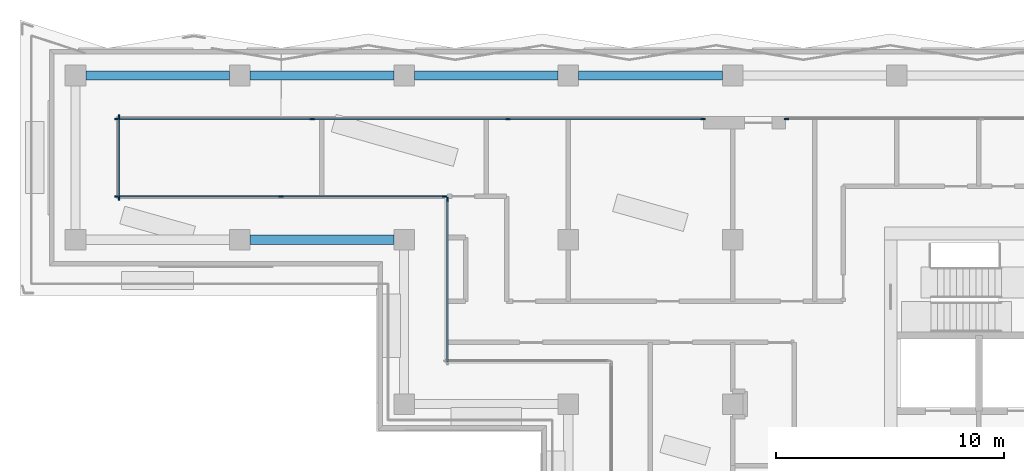
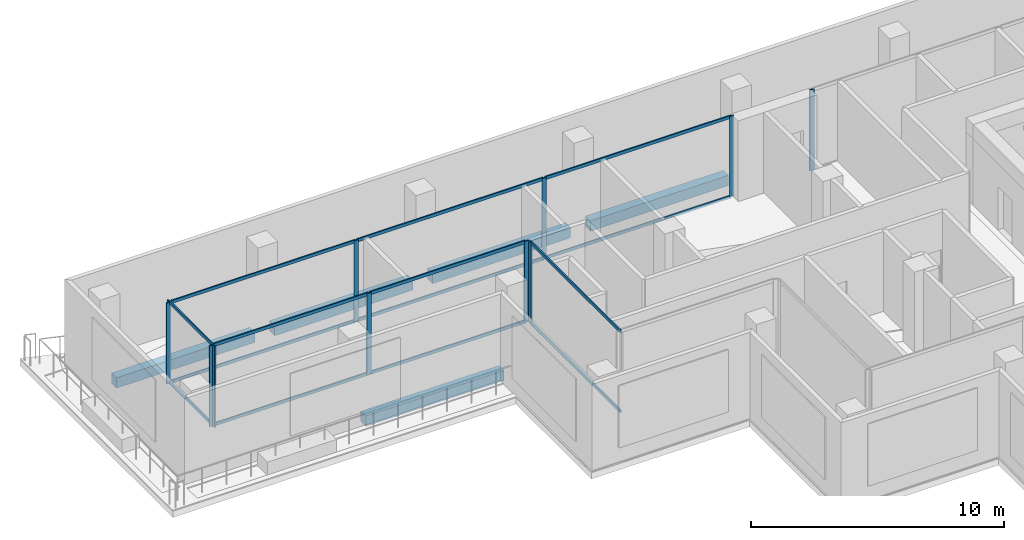
# One storey, part 5 of 19: 25 members, 5 beams, 5 elements without a shape of their own.
"""IFC4 building model written with IfcOpenShell, lengths in metres."""

from ifc_helpers import new_model, si_unit, direction, frame, origin, origin_2d, place, context, subcontext, project, spatial, rectangle, extrude, material, material_profile, profile_set, type_object, element, aggregate, save


model = new_model("IFC4")

# Units and contexts
model_context = context("Model", 3, precision=1e-05, world=origin(), true_north=direction((0.0, 1.0)))
body_context = subcontext(model_context, "Body", "Model", "MODEL_VIEW")
ifc_project = project(units=[si_unit("LENGTHUNIT", "METRE"), si_unit("AREAUNIT", "SQUARE_METRE"), si_unit("VOLUMEUNIT", "CUBIC_METRE"), si_unit("PLANEANGLEUNIT", "RADIAN"), si_unit("MASSUNIT", "GRAM", prefix="KILO")], contexts=[model_context])

# Site, building, storey
site_placement = place(None, origin())
site = spatial("IfcSite", under=ifc_project, at=site_placement, CompositionType="ELEMENT")
building_placement = place(site_placement, origin())
building = spatial("IfcBuilding", under=site, at=building_placement, Name="Windrow Commons", CompositionType="ELEMENT")
storey_placement = place(building_placement, frame((0.0, 0.0, 176.2)))
storey = spatial("IfcBuildingStorey", under=building, at=storey_placement, Name="L48", CompositionType="ELEMENT", Elevation=176.2)

# Curtain wall, member
ifc_material_1 = material(Name="Clear laminated glass in Aluminium 6063-T6 anodised frame", Category="aluminium")
curtain_wall_type = type_object("IfcCurtainWallType", Name="Curtain wall CW2H sky lounge upper", PredefinedType="USERDEFINED", material=ifc_material_1)
placement = place(storey_placement, origin())
curtain_wall_1 = element("IfcCurtainWall", 1, at=placement, inside=storey, type_object=curtain_wall_type, Name="Curtain wall CW2H L48 4.1", ObjectType="UNITISED", PredefinedType="USERDEFINED")
ifc_material_2 = material(Name="Aluminium 6063-T6", Category="aluminium")
ifc_material_profile_1 = material_profile(ifc_material_2, rectangle(XDim=0.06, YDim=0.2, at=origin_2d()))
ifc_profile_set_1 = profile_set([ifc_material_profile_1], Name="Aluminium 6063-T6")
member_type_1 = type_object("IfcMemberType", Name="CW2H mullion 60x200", PredefinedType="MULLION", material=ifc_profile_set_1)
member_1_placement = place(storey_placement, frame((52.7574, 70.1, 0.0), z_axis=(0.0, 0.0, 1.0), x_axis=(0.0, -1.0, 0.0)))
member_1 = element("IfcMember", 2, at=member_1_placement, type_object=member_type_1, Name="CW2H mullion 4", PredefinedType="MULLION", context=body_context, shape_type="SweptSolid", body=[
    extrude(rectangle(XDim=0.06, YDim=0.2, at=origin_2d()), origin(), (0.0, 0.0, 1.0), 3.9),
])
aggregate(curtain_wall_1, [member_1])

# Curtain wall, members
curtain_wall_2 = element("IfcCurtainWall", 3, at=placement, inside=storey, type_object=curtain_wall_type, Name="Curtain wall CW2H L48 4.2", ObjectType="UNITISED", PredefinedType="USERDEFINED")
member_2_placement = place(storey_placement, frame((49.0974, 70.1, 0.0), z_axis=(0.0, 0.0, 1.0), x_axis=(0.0, -1.0, 0.0)))
member_2 = element("IfcMember", 4, at=member_2_placement, type_object=member_type_1, Name="CW2H mullion 1", PredefinedType="MULLION", context=body_context, shape_type="SweptSolid", body=[
    extrude(rectangle(XDim=0.06, YDim=0.2, at=origin_2d()), origin(), (0.0, 0.0, 1.0), 3.9),
])
member_3_placement = place(storey_placement, frame((40.5516, 70.1, 0.0), z_axis=(0.0, 0.0, 1.0), x_axis=(0.0, -1.0, 0.0)))
member_3 = element("IfcMember", 5, at=member_3_placement, type_object=member_type_1, Name="CW2H mullion 2", PredefinedType="MULLION", context=body_context, shape_type="SweptSolid", body=[
    extrude(rectangle(XDim=0.06, YDim=0.2, at=origin_2d()), origin(), (0.0, 0.0, 1.0), 3.9),
])
member_4_placement = place(storey_placement, frame((31.9758, 70.1, 0.0), z_axis=(0.0, 0.0, 1.0), x_axis=(0.0, -1.0, 0.0)))
member_4 = element("IfcMember", 6, at=member_4_placement, type_object=member_type_1, Name="CW2H mullion 3", PredefinedType="MULLION", context=body_context, shape_type="SweptSolid", body=[
    extrude(rectangle(XDim=0.06, YDim=0.2, at=origin_2d()), origin(), (0.0, 0.0, 1.0), 3.9),
])
member_5_placement = place(storey_placement, frame((23.43, 70.1, 0.0), z_axis=(0.0, 0.0, 1.0), x_axis=(0.0, -1.0, 0.0)))
member_5 = element("IfcMember", 7, at=member_5_placement, type_object=member_type_1, Name="CW2H mullion 4", PredefinedType="MULLION", context=body_context, shape_type="SweptSolid", body=[
    extrude(rectangle(XDim=0.06, YDim=0.2, at=origin_2d()), origin(), (0.0, 0.0, 1.0), 3.9),
])

curtain_wall_3 = element("IfcCurtainWall", 8, at=placement, inside=storey, type_object=curtain_wall_type, Name="Curtain wall CW2H L48 5", ObjectType="UNITISED", PredefinedType="USERDEFINED")
member_6_placement = place(storey_placement, frame((23.5, 70.17, 0.0), z_axis=(0.0, 0.0, 1.0), x_axis=(1.0, 0.0, 0.0)))
member_6 = element("IfcMember", 9, at=member_6_placement, type_object=member_type_1, Name="CW2H mullion 1", PredefinedType="MULLION", context=body_context, shape_type="SweptSolid", body=[
    extrude(rectangle(XDim=0.06, YDim=0.2, at=origin_2d()), origin(), (0.0, 0.0, 1.0), 3.9),
])
member_7_placement = place(storey_placement, frame((23.5, 66.63, 0.0), z_axis=(0.0, 0.0, 1.0), x_axis=(1.0, 0.0, 0.0)))
member_7 = element("IfcMember", 10, at=member_7_placement, type_object=member_type_1, Name="CW2H mullion 2", PredefinedType="MULLION", context=body_context, shape_type="SweptSolid", body=[
    extrude(rectangle(XDim=0.06, YDim=0.2, at=origin_2d()), origin(), (0.0, 0.0, 1.0), 3.9),
])

curtain_wall_4 = element("IfcCurtainWall", 11, at=placement, inside=storey, type_object=curtain_wall_type, Name="Curtain wall CW2H L48 6", ObjectType="UNITISED", PredefinedType="USERDEFINED")
member_8_placement = place(storey_placement, frame((23.43, 66.7, 0.0), z_axis=(0.0, 0.0, 1.0), x_axis=(0.0, 1.0, 0.0)))
member_8 = element("IfcMember", 12, at=member_8_placement, type_object=member_type_1, Name="CW2H mullion 1", PredefinedType="MULLION", context=body_context, shape_type="SweptSolid", body=[
    extrude(rectangle(XDim=0.06, YDim=0.2, at=origin_2d()), origin(), (0.0, 0.0, 1.0), 3.9),
])
member_9_placement = place(storey_placement, frame((30.6, 66.7, 0.0), z_axis=(0.0, 0.0, 1.0), x_axis=(0.0, 1.0, 0.0)))
member_9 = element("IfcMember", 13, at=member_9_placement, type_object=member_type_1, Name="CW2H mullion 2", PredefinedType="MULLION", context=body_context, shape_type="SweptSolid", body=[
    extrude(rectangle(XDim=0.06, YDim=0.2, at=origin_2d()), origin(), (0.0, 0.0, 1.0), 3.9),
])
member_10_placement = place(storey_placement, frame((37.77, 66.7, 0.0), z_axis=(0.0, 0.0, 1.0), x_axis=(0.0, 1.0, 0.0)))
member_10 = element("IfcMember", 14, at=member_10_placement, type_object=member_type_1, Name="CW2H mullion 3", PredefinedType="MULLION", context=body_context, shape_type="SweptSolid", body=[
    extrude(rectangle(XDim=0.06, YDim=0.2, at=origin_2d()), origin(), (0.0, 0.0, 1.0), 3.9),
])

# Curtain wall, member
curtain_wall_5 = element("IfcCurtainWall", 15, at=placement, inside=storey, type_object=curtain_wall_type, Name="Curtain wall CW2H L48 7", ObjectType="UNITISED", PredefinedType="USERDEFINED")
member_11_placement = place(storey_placement, frame((37.9, 66.57, 0.0), z_axis=(0.0, 0.0, 1.0), x_axis=(1.0, 0.0, 0.0)))
member_11 = element("IfcMember", 16, at=member_11_placement, type_object=member_type_1, Name="CW2H mullion 1", PredefinedType="MULLION", context=body_context, shape_type="SweptSolid", body=[
    extrude(rectangle(XDim=0.06, YDim=0.2, at=origin_2d()), origin(), (0.0, 0.0, 1.0), 3.9),
])

# Member
ifc_material_3 = material(Name="Aluminium 6063-T6", Category="aluminium")
ifc_material_profile_2 = material_profile(ifc_material_3, rectangle(XDim=0.06, YDim=0.15, at=origin_2d()))
ifc_profile_set_2 = profile_set([ifc_material_profile_2], Name="Aluminium 6063-T6")
member_type_2 = type_object("IfcMemberType", Name="CW2H transom 60x150", PredefinedType="USERDEFINED", material=ifc_profile_set_2)
member_12_placement = place(storey_placement, frame((49.0674, 70.1, 0.03), z_axis=(-1.0, 0.0, 0.0), x_axis=(0.0, -1.0, 0.0)))
member_12 = element("IfcMember", 17, at=member_12_placement, type_object=member_type_2, Name="CW2H transom 1.1", ObjectType="TRANSOM", PredefinedType="USERDEFINED", context=body_context, shape_type="SweptSolid", body=[
    extrude(rectangle(XDim=0.06, YDim=0.15, at=origin_2d()), origin(), (0.0, 0.0, 1.0), 8.4858),
])

member_13_placement = place(storey_placement, frame((49.0674, 70.1, 3.87), z_axis=(-1.0, 0.0, 0.0), x_axis=(0.0, -1.0, 0.0)))
member_13 = element("IfcMember", 18, at=member_13_placement, type_object=member_type_2, Name="CW2H transom 1.2", ObjectType="TRANSOM", PredefinedType="USERDEFINED", context=body_context, shape_type="SweptSolid", body=[
    extrude(rectangle(XDim=0.06, YDim=0.15, at=origin_2d()), origin(), (0.0, 0.0, 1.0), 8.4858),
])

member_14_placement = place(storey_placement, frame((40.5216, 70.1, 0.03), z_axis=(-1.0, 0.0, 0.0), x_axis=(0.0, -1.0, 0.0)))
member_14 = element("IfcMember", 19, at=member_14_placement, type_object=member_type_2, Name="CW2H transom 2.1", ObjectType="TRANSOM", PredefinedType="USERDEFINED", context=body_context, shape_type="SweptSolid", body=[
    extrude(rectangle(XDim=0.06, YDim=0.15, at=origin_2d()), origin(), (0.0, 0.0, 1.0), 8.5158),
])

member_15_placement = place(storey_placement, frame((40.5216, 70.1, 3.87), z_axis=(-1.0, 0.0, 0.0), x_axis=(0.0, -1.0, 0.0)))
member_15 = element("IfcMember", 20, at=member_15_placement, type_object=member_type_2, Name="CW2H transom 2.2", ObjectType="TRANSOM", PredefinedType="USERDEFINED", context=body_context, shape_type="SweptSolid", body=[
    extrude(rectangle(XDim=0.06, YDim=0.15, at=origin_2d()), origin(), (0.0, 0.0, 1.0), 8.5158),
])

member_16_placement = place(storey_placement, frame((31.9458, 70.1, 0.03), z_axis=(-1.0, 0.0, 0.0), x_axis=(0.0, -1.0, 0.0)))
member_16 = element("IfcMember", 21, at=member_16_placement, type_object=member_type_2, Name="CW2H transom 3.1", ObjectType="TRANSOM", PredefinedType="USERDEFINED", context=body_context, shape_type="SweptSolid", body=[
    extrude(rectangle(XDim=0.06, YDim=0.15, at=origin_2d()), origin(), (0.0, 0.0, 1.0), 8.4858),
])

member_17_placement = place(storey_placement, frame((31.9458, 70.1, 3.87), z_axis=(-1.0, 0.0, 0.0), x_axis=(0.0, -1.0, 0.0)))
member_17 = element("IfcMember", 22, at=member_17_placement, type_object=member_type_2, Name="CW2H transom 3.2", ObjectType="TRANSOM", PredefinedType="USERDEFINED", context=body_context, shape_type="SweptSolid", body=[
    extrude(rectangle(XDim=0.06, YDim=0.15, at=origin_2d()), origin(), (0.0, 0.0, 1.0), 8.4858),
])

aggregate(curtain_wall_2, [member_2, member_3, member_4, member_5, member_12, member_13, member_14, member_15, member_16, member_17])

member_18_placement = place(storey_placement, frame((23.5, 70.14, 0.03), z_axis=(0.0, -1.0, 0.0), x_axis=(1.0, 0.0, 0.0)))
member_18 = element("IfcMember", 23, at=member_18_placement, type_object=member_type_2, Name="CW2H transom 1.1", ObjectType="TRANSOM", PredefinedType="USERDEFINED", context=body_context, shape_type="SweptSolid", body=[
    extrude(rectangle(XDim=0.06, YDim=0.15, at=origin_2d()), origin(), (0.0, 0.0, 1.0), 3.48),
])

member_19_placement = place(storey_placement, frame((23.5, 70.14, 3.87), z_axis=(0.0, -1.0, 0.0), x_axis=(1.0, 0.0, 0.0)))
member_19 = element("IfcMember", 24, at=member_19_placement, type_object=member_type_2, Name="CW2H transom 1.2", ObjectType="TRANSOM", PredefinedType="USERDEFINED", context=body_context, shape_type="SweptSolid", body=[
    extrude(rectangle(XDim=0.06, YDim=0.15, at=origin_2d()), origin(), (0.0, 0.0, 1.0), 3.48),
])

aggregate(curtain_wall_3, [member_6, member_7, member_18, member_19])

member_20_placement = place(storey_placement, frame((23.46, 66.7, 0.03), z_axis=(1.0, 0.0, 0.0), x_axis=(0.0, 1.0, 0.0)))
member_20 = element("IfcMember", 25, at=member_20_placement, type_object=member_type_2, Name="CW2H transom 1.1", ObjectType="TRANSOM", PredefinedType="USERDEFINED", context=body_context, shape_type="SweptSolid", body=[
    extrude(rectangle(XDim=0.06, YDim=0.15, at=origin_2d()), origin(), (0.0, 0.0, 1.0), 7.11),
])

member_21_placement = place(storey_placement, frame((23.46, 66.7, 3.87), z_axis=(1.0, 0.0, 0.0), x_axis=(0.0, 1.0, 0.0)))
member_21 = element("IfcMember", 26, at=member_21_placement, type_object=member_type_2, Name="CW2H transom 1.2", ObjectType="TRANSOM", PredefinedType="USERDEFINED", context=body_context, shape_type="SweptSolid", body=[
    extrude(rectangle(XDim=0.06, YDim=0.15, at=origin_2d()), origin(), (0.0, 0.0, 1.0), 7.11),
])

member_22_placement = place(storey_placement, frame((30.63, 66.7, 0.03), z_axis=(1.0, 0.0, 0.0), x_axis=(0.0, 1.0, 0.0)))
member_22 = element("IfcMember", 27, at=member_22_placement, type_object=member_type_2, Name="CW2H transom 2.1", ObjectType="TRANSOM", PredefinedType="USERDEFINED", context=body_context, shape_type="SweptSolid", body=[
    extrude(rectangle(XDim=0.06, YDim=0.15, at=origin_2d()), origin(), (0.0, 0.0, 1.0), 7.11),
])

member_23_placement = place(storey_placement, frame((30.63, 66.7, 3.87), z_axis=(1.0, 0.0, 0.0), x_axis=(0.0, 1.0, 0.0)))
member_23 = element("IfcMember", 28, at=member_23_placement, type_object=member_type_2, Name="CW2H transom 2.2", ObjectType="TRANSOM", PredefinedType="USERDEFINED", context=body_context, shape_type="SweptSolid", body=[
    extrude(rectangle(XDim=0.06, YDim=0.15, at=origin_2d()), origin(), (0.0, 0.0, 1.0), 7.11),
])

aggregate(curtain_wall_4, [member_8, member_9, member_10, member_20, member_21, member_22, member_23])

member_24_placement = place(storey_placement, frame((37.9, 66.54, 0.03), z_axis=(0.0, -1.0, 0.0), x_axis=(1.0, 0.0, 0.0)))
member_24 = element("IfcMember", 29, at=member_24_placement, type_object=member_type_2, Name="CW2H transom 1.1", ObjectType="TRANSOM", PredefinedType="USERDEFINED", context=body_context, shape_type="SweptSolid", body=[
    extrude(rectangle(XDim=0.06, YDim=0.15, at=origin_2d()), origin(), (0.0, 0.0, 1.0), 7.08),
])

member_25_placement = place(storey_placement, frame((37.9, 66.54, 3.87), z_axis=(0.0, -1.0, 0.0), x_axis=(1.0, 0.0, 0.0)))
member_25 = element("IfcMember", 30, at=member_25_placement, type_object=member_type_2, Name="CW2H transom 1.2", ObjectType="TRANSOM", PredefinedType="USERDEFINED", context=body_context, shape_type="SweptSolid", body=[
    extrude(rectangle(XDim=0.06, YDim=0.15, at=origin_2d()), origin(), (0.0, 0.0, 1.0), 7.08),
])

aggregate(curtain_wall_5, [member_11, member_24, member_25])

# Beams
ifc_material_4 = material(Name="Concrete C50/60", Category="concrete")
ifc_material_profile_3 = material_profile(ifc_material_4, rectangle(XDim=0.4, YDim=0.5, at=origin_2d()))
ifc_profile_set_3 = profile_set([ifc_material_profile_3], Name="Concrete C50/60")
beam_type = type_object("IfcBeamType", Name="RC EDGE BEAM 400x500 C50/60", PredefinedType="SPANDREL", material=ifc_profile_set_3)
for number, where, z_axis, x_axis, name in (
    (31, (35.55, 64.8, -0.55), (-1.0, 0.0, 0.0), (0.0, -1.0, 0.0), "Edge beam L48 007"),
    (32, (22.05, 72.0, -0.55), (1.0, 0.0, 0.0), (0.0, 1.0, 0.0), "Edge beam L48 010"),
    (33, (29.25, 72.0, -0.55), (1.0, 0.0, 0.0), (0.0, 1.0, 0.0), "Edge beam L48 011"),
    (34, (36.45, 72.0, -0.55), (1.0, 0.0, 0.0), (0.0, 1.0, 0.0), "Edge beam L48 012"),
    (35, (43.65, 72.0, -0.55), (1.0, 0.0, 0.0), (0.0, 1.0, 0.0), "Edge beam L48 013"),
):
    element("IfcBeam", number, at=place(storey_placement, frame(where, z_axis=z_axis, x_axis=x_axis)), inside=storey, type_object=beam_type, Name=name, PredefinedType="SPANDREL", context=body_context, shape_type="SweptSolid", body=[
        extrude(rectangle(XDim=0.4, YDim=0.5, at=origin_2d()), origin(), (0.0, 0.0, 1.0), 6.3),
    ])

save(model, "model.ifc")
